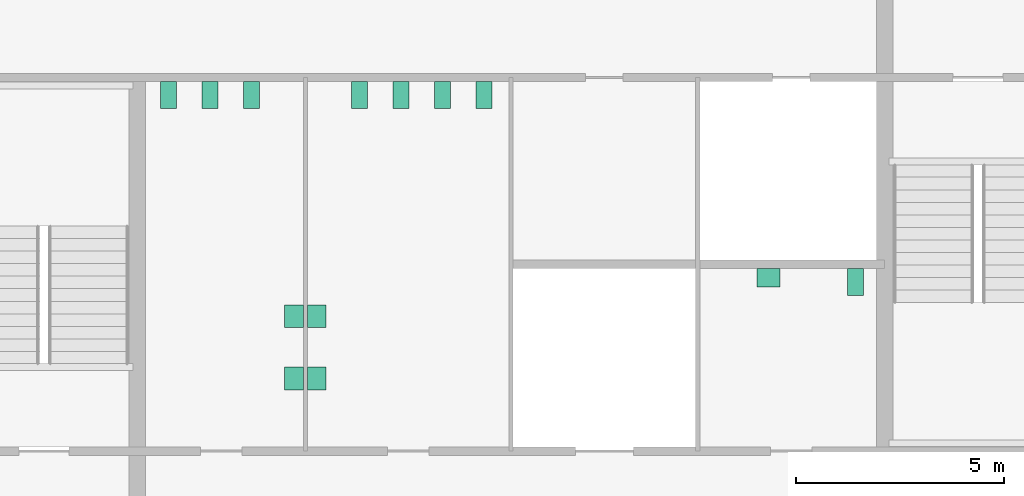
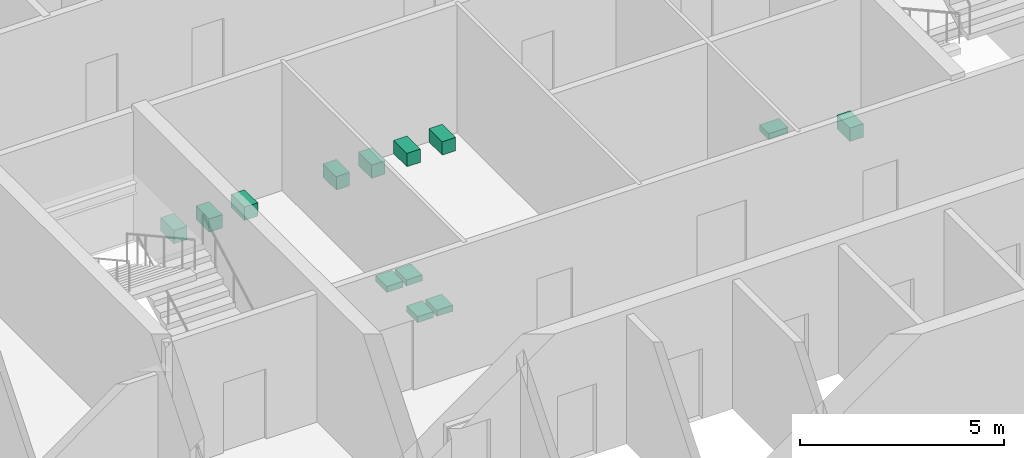
# One storey, part 14 of 14: 13 sanitary terminals.
"""IFC4 building model written with IfcOpenShell, lengths in metres."""

from ifc_helpers import new_model, si_unit, direction, frame, origin, origin_2d, place, context, subcontext, project, spatial, rectangle, extrude, material, type_object, element, save


model = new_model("IFC4")

# Units and contexts
model_context = context("Model", 3, precision=1e-05, world=origin(), true_north=direction((0.0, 1.0)))
body_context = subcontext(model_context, "Body", "Model", "MODEL_VIEW")
ifc_project = project(units=[si_unit("LENGTHUNIT", "METRE"), si_unit("AREAUNIT", "SQUARE_METRE"), si_unit("VOLUMEUNIT", "CUBIC_METRE"), si_unit("PLANEANGLEUNIT", "RADIAN"), si_unit("MASSUNIT", "GRAM", prefix="KILO")], contexts=[model_context])

# Site, building, storey
site_placement = place(None, origin())
site = spatial("IfcSite", under=ifc_project, at=site_placement, CompositionType="ELEMENT")
building_placement = place(site_placement, origin())
building = spatial("IfcBuilding", under=site, at=building_placement, Name="Corais Broadcast Tower", CompositionType="ELEMENT")
storey_placement = place(building_placement, frame((0.0, 0.0, 218.60009765625)))
storey = spatial("IfcBuildingStorey", under=building, at=storey_placement, Name="L50", CompositionType="ELEMENT", Elevation=218.60009765625)

# Sanitary terminals
ifc_material_1 = material(Name="Vitreous china", Category="ceramic")
sanitary_terminal_type_1 = type_object("IfcSanitaryTerminalType", Name="WC pan 380x650", PredefinedType="TOILETPAN", material=ifc_material_1)
for number, where, z_axis, x_axis, name in (
    (1, (18.75, 31.074951171875, 0.0), (0.0, 0.0, 1.0), (1.0, 0.0, 0.0), "SW1 WC pan, male toilets L50"),
    (2, (19.75, 31.074951171875, 0.0), (0.0, 0.0, 1.0), (1.0, 0.0, 0.0), "SW1 WC pan, male toilets L50"),
    (3, (20.75, 31.074951171875, 0.0), (0.0, 0.0, 1.0), (1.0, 0.0, 0.0), "SW1 WC pan, male toilets L50"),
    (4, (23.35009765625, 31.074951171875, 0.0), (0.0, 0.0, 1.0), (1.0, 0.0, 0.0), "SW1 WC pan, female toilets L50"),
    (5, (24.35009765625, 31.074951171875, 0.0), (0.0, 0.0, 1.0), (1.0, 0.0, 0.0), "SW1 WC pan, female toilets L50"),
    (6, (25.35009765625, 31.074951171875, 0.0), (0.0, 0.0, 1.0), (1.0, 0.0, 0.0), "SW1 WC pan, female toilets L50"),
    (7, (26.35009765625, 31.074951171875, 0.0), (0.0, 0.0, 1.0), (1.0, 0.0, 0.0), "SW1 WC pan, female toilets L50"),
    (8, (35.300048828125, 26.574951171875, 0.0), (0.0, 0.0, 1.0), (1.0, 0.0, 0.0), "SW1 WC pan, accessible WC L50"),
):
    element("IfcSanitaryTerminal", number, at=place(storey_placement, frame(where, z_axis=z_axis, x_axis=x_axis)), inside=storey, type_object=sanitary_terminal_type_1, Name=name, PredefinedType="TOILETPAN", context=body_context, shape_type="SweptSolid", body=[
        extrude(rectangle(XDim=0.3798828125, YDim=0.64990234375, at=origin_2d()), origin(), (0.0, 0.0, 1.0), 0.39990234375),
    ])
ifc_material_2 = material(Name="Vitreous china", Category="ceramic")
sanitary_terminal_type_2 = type_object("IfcSanitaryTerminalType", Name="Wash basin 550x450", PredefinedType="WASHHANDBASIN", material=ifc_material_2)
for number, where, z_axis, x_axis, name in (
    (9, (21.77490234375, 24.25, 0.69970703125), (0.0, 0.0, 1.0), (1.0, 0.0, 0.0), "WB1 wash basin, male toilets L50"),
    (10, (21.77490234375, 25.75, 0.69970703125), (0.0, 0.0, 1.0), (1.0, 0.0, 0.0), "WB1 wash basin, male toilets L50"),
    (11, (22.324951171875, 24.25, 0.69970703125), (0.0, 0.0, 1.0), (1.0, 0.0, 0.0), "WB1 wash basin, female toilets L50"),
    (12, (22.324951171875, 25.75, 0.69970703125), (0.0, 0.0, 1.0), (1.0, 0.0, 0.0), "WB1 wash basin, female toilets L50"),
):
    element("IfcSanitaryTerminal", number, at=place(storey_placement, frame(where, z_axis=z_axis, x_axis=x_axis)), inside=storey, type_object=sanitary_terminal_type_2, Name=name, PredefinedType="WASHHANDBASIN", context=body_context, shape_type="SweptSolid", body=[
        extrude(rectangle(XDim=0.449951171875, YDim=0.550048828125, at=origin_2d()), origin(), (0.0, 0.0, 1.0), 0.179931640625),
    ])
sanitary_terminal_placement = place(storey_placement, frame((33.199951171875, 26.675048828125, 0.69970703125), z_axis=(0.0, 0.0, 1.0), x_axis=(1.0, 0.0, 0.0)))
element("IfcSanitaryTerminal", 13, at=sanitary_terminal_placement, inside=storey, type_object=sanitary_terminal_type_2, Name="WB1 wash basin, accessible WC L50", PredefinedType="WASHHANDBASIN", context=body_context, shape_type="SweptSolid", body=[
    extrude(rectangle(XDim=0.550048828125, YDim=0.449951171875, at=origin_2d()), origin(), (0.0, 0.0, 1.0), 0.179931640625),
])

save(model, "model.ifc")
